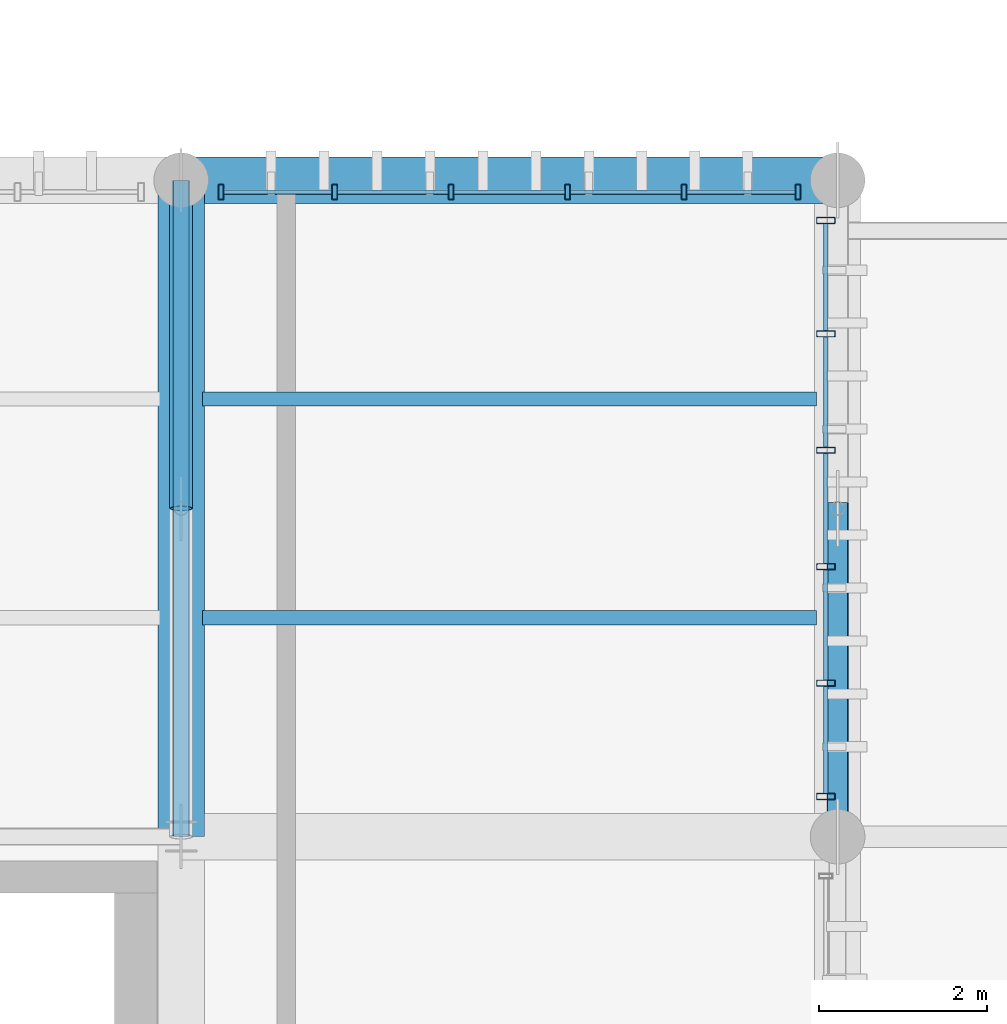
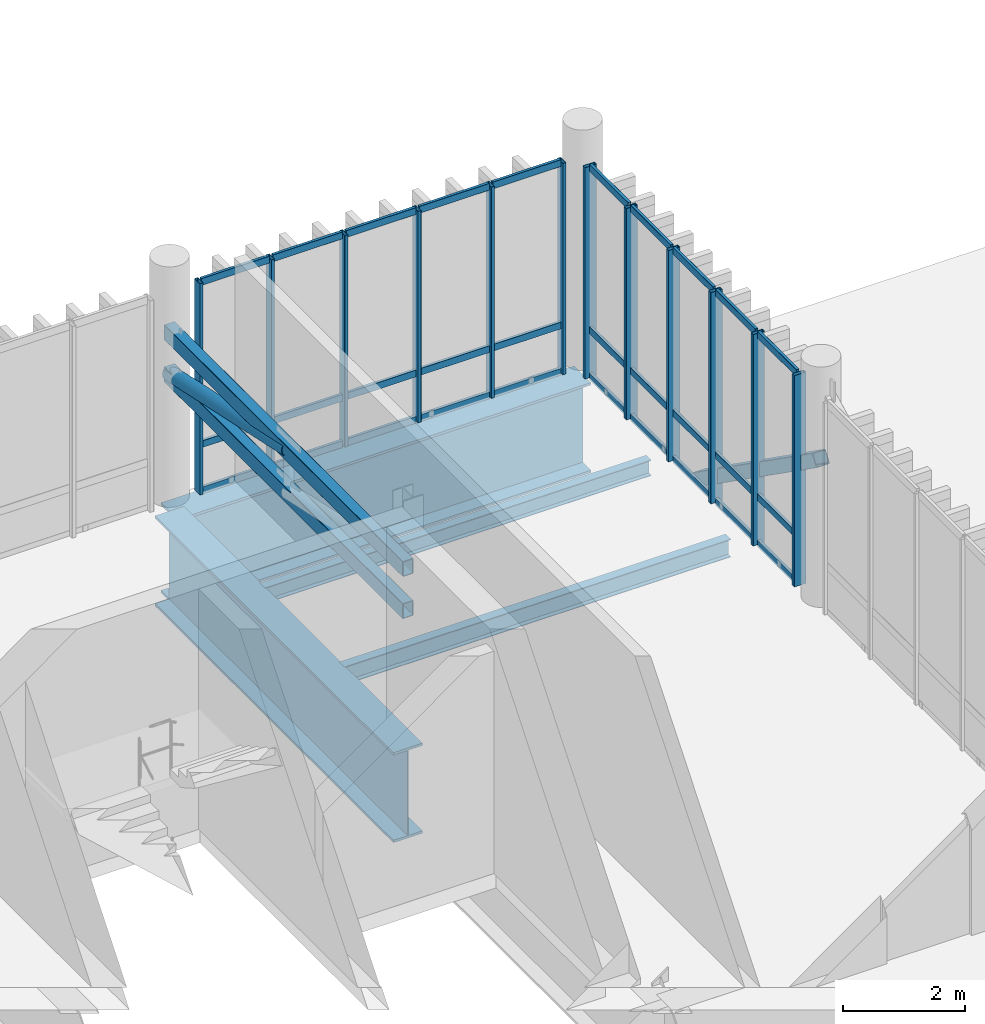
# One storey, part 27 of 81: 46 members, 4 beams, 2 elements without a shape of their own.
"""IFC4 building model written with IfcOpenShell, lengths in metres."""

from ifc_helpers import new_model, si_unit, direction, frame, origin_with_axes, origin_2d_with_axis, place, context, subcontext, project, spatial, hollow_rectangle, hollow_circle, i_section, extrude, material, material_profile, profile_set, type_object, element, aggregate, save


model = new_model("IFC4")

# Units and contexts
model_context = context("Model", 3, precision=1e-05, world=origin_with_axes(), true_north=direction((0.0, 1.0)))
body_context = subcontext(model_context, "Body", "Model", "MODEL_VIEW")
ifc_project = project(units=[si_unit("LENGTHUNIT", "METRE"), si_unit("AREAUNIT", "SQUARE_METRE"), si_unit("VOLUMEUNIT", "CUBIC_METRE"), si_unit("PLANEANGLEUNIT", "RADIAN"), si_unit("MASSUNIT", "GRAM", prefix="KILO"), si_unit("THERMODYNAMICTEMPERATUREUNIT", "KELVIN")], contexts=[model_context])

# Site, building, storey
site_placement = place(None, origin_with_axes())
site = spatial("IfcSite", under=ifc_project, at=site_placement, CompositionType="ELEMENT")
building_placement = place(site_placement, origin_with_axes())
building = spatial("IfcBuilding", under=site, at=building_placement, Name="Montbau Bow Law Courts", CompositionType="ELEMENT")
storey_placement = place(building_placement, frame((0.0, 0.0, 24.9), z_axis=(0.0, 0.0, 1.0), x_axis=(1.0, 0.0, 0.0)))
storey = spatial("IfcBuildingStorey", under=building, at=storey_placement, Name="L05", CompositionType="ELEMENT", Elevation=24.9)

# Beams
ifc_material_1 = material(Name="Steel CSA G40.21 Grade 350W (350 MPa)", Category="steel")
ifc_material_profile_1 = material_profile(ifc_material_1, i_section(OverallWidth=0.172, OverallDepth=0.358, WebThickness=0.0079, FlangeThickness=0.0131, at=origin_2d_with_axis()), Name="W360X57", Category="Main", Priority=0)
ifc_profile_set_1 = profile_set([ifc_material_profile_1], Name="Steel CSA G40.21 Grade 350W (350 MPa)")
beam_type_1 = type_object("IfcBeamType", Name="B-JST-03", PredefinedType="JOIST", material=ifc_profile_set_1)
beam_1_placement = place(None, frame((39.251, 57.2, 24.421), z_axis=(1.0, 0.0, 0.0), x_axis=(0.0, 1.0, 0.0)))
element("IfcBeam", 1, at=beam_1_placement, inside=storey, type_object=beam_type_1, Name="JST-L05-S0330:jst2_0330", PredefinedType="JOIST", context=body_context, shape_type="SweptSolid", body=[
    extrude(i_section(OverallWidth=0.172, OverallDepth=0.358, WebThickness=0.0079, FlangeThickness=0.0131, at=origin_2d_with_axis()), origin_with_axes(), (0.0, 0.0, 1.0), 7.298),
])
ifc_material_profile_2 = material_profile(ifc_material_1, i_section(OverallWidth=0.166, OverallDepth=0.313, WebThickness=0.0066, FlangeThickness=0.0112, at=origin_2d_with_axis()), Name="W310X45", Category="Main", Priority=0)
ifc_profile_set_2 = profile_set([ifc_material_profile_2], Name="Steel CSA G40.21 Grade 350W (350 MPa)")
beam_type_2 = type_object("IfcBeamType", Name="B-JST-04", PredefinedType="JOIST", material=ifc_profile_set_2)
beam_2_placement = place(None, frame((39.251, 59.8, 24.444), z_axis=(1.0, 0.0, 0.0), x_axis=(0.0, 1.0, 0.0)))
element("IfcBeam", 2, at=beam_2_placement, inside=storey, type_object=beam_type_2, Name="JST-L05-S0331:jst2_0331", PredefinedType="JOIST", context=body_context, shape_type="SweptSolid", body=[
    extrude(i_section(OverallWidth=0.166, OverallDepth=0.313, WebThickness=0.0066, FlangeThickness=0.0112, at=origin_2d_with_axis()), origin_with_axes(), (0.0, 0.0, 1.0), 7.298),
])
ifc_material_2 = material(Name="Steel CSA G40.21 Grade 350WT (350 MPa)", Category="steel")
ifc_material_profile_3 = material_profile(ifc_material_2, i_section(OverallWidth=0.55, OverallDepth=1.8, WebThickness=0.022, FlangeThickness=0.05, at=origin_2d_with_axis()), Name="WWF1800X550", Category="Main", Priority=0)
ifc_profile_set_3 = profile_set([ifc_material_profile_3], Name="Steel CSA G40.21 Grade 350WT (350 MPa)")
beam_type_3 = type_object("IfcBeamType", Name="B-TRG-01", PredefinedType="USERDEFINED", material=ifc_profile_set_3)
for number, where, z_axis, x_axis, name in (
    (3, (39.0, 54.6, 23.7), (0.0, 1.0, 0.0), (-1.0, 0.0, 0.0), "TRG-L05-S0040:bm2_0043"),
    (4, (39.0, 62.4, 23.7), (1.0, 0.0, 0.0), (0.0, 1.0, 0.0), "TRG-L05-S0051:bm2_0054"),
):
    element("IfcBeam", number, at=place(None, frame(where, z_axis=z_axis, x_axis=x_axis)), inside=storey, type_object=beam_type_3, Name=name, ObjectType="GIRDER", PredefinedType="USERDEFINED", context=body_context, shape_type="SweptSolid", body=[
        extrude(i_section(OverallWidth=0.55, OverallDepth=1.8, WebThickness=0.022, FlangeThickness=0.05, at=origin_2d_with_axis()), origin_with_axes(), (0.0, 0.0, 1.0), 7.8),
    ])

# Members
ifc_material_profile_4 = material_profile(ifc_material_1, hollow_rectangle(XDim=0.254, YDim=0.254, WallThickness=0.0127, InnerFilletRadius=0.0254, OuterFilletRadius=0.0127, at=origin_2d_with_axis()), Name="HSS254X254X13", Category="Main", Priority=0)
ifc_profile_set_4 = profile_set([ifc_material_profile_4], Name="Steel CSA G40.21 Grade 350W (350 MPa)")
member_type_1 = type_object("IfcMemberType", Name="M-BRC-01", PredefinedType="BRACE", material=ifc_profile_set_4)
member_1_placement = place(None, frame((46.8, 54.6, 27.65), z_axis=(0.0, 0.817258134, -0.576271761), x_axis=(-1.0, 0.0, 0.0)))
element("IfcMember", 5, at=member_1_placement, inside=storey, type_object=member_type_1, Name="Diagonal brace BRC-L05-011", PredefinedType="BRACE", context=body_context, shape_type="SweptSolid", body=[
    extrude(hollow_rectangle(XDim=0.254, YDim=0.254, WallThickness=0.0127, InnerFilletRadius=0.0254, OuterFilletRadius=0.0127, at=origin_2d_with_axis()), origin_with_axes(), (0.0, 0.0, 1.0), 4.772054),
])
ifc_material_profile_5 = material_profile(ifc_material_1, hollow_circle(Radius=0.1365, WallThickness=0.0127, at=origin_2d_with_axis()), Name="HSS273X13", Category="Main", Priority=0)
ifc_profile_set_5 = profile_set([ifc_material_profile_5], Name="Steel CSA G40.21 Grade 350W (350 MPa)")
member_type_2 = type_object("IfcMemberType", Name="M-BRC-03", PredefinedType="BRACE", material=ifc_profile_set_5)
member_2_placement = place(None, frame((39.0, 58.5, 28.2), z_axis=(0.0, 0.977581781, -0.210556076), x_axis=(-1.0, 0.0, 0.0)))
element("IfcMember", 6, at=member_2_placement, inside=storey, type_object=member_type_2, Name="Diagonal brace BRC-L05-010", PredefinedType="BRACE", context=body_context, shape_type="SweptSolid", body=[
    extrude(hollow_circle(Radius=0.1365, WallThickness=0.0127, at=origin_2d_with_axis()), origin_with_axes(), (0.0, 0.0, 1.0), 3.989436),
])
ifc_material_profile_6 = material_profile(ifc_material_2, hollow_rectangle(XDim=0.203, YDim=0.305, WallThickness=0.0127, InnerFilletRadius=0.0254, OuterFilletRadius=0.0127, at=origin_2d_with_axis()), Name="HSS305X203X13", Category="Main", Priority=0)
ifc_profile_set_6 = profile_set([ifc_material_profile_6], Name="Steel CSA G40.21 Grade 350WT (350 MPa)")
member_type_3 = type_object("IfcMemberType", Name="M-CHD-02", PredefinedType="CHORD", material=ifc_profile_set_6)
for number, where, z_axis, x_axis, name in (
    (7, (39.0, 54.6, 27.36), (0.0, 1.0, 0.0), (-1.0, 0.0, 0.0), "CHB-L05-05:chb_0005"),
    (8, (39.0, 54.6, 28.2), (0.0, 1.0, 0.0), (-1.0, 0.0, 0.0), "CHD-L05-05:mbr_0017"),
):
    element("IfcMember", number, at=place(None, frame(where, z_axis=z_axis, x_axis=x_axis)), inside=storey, type_object=member_type_3, Name=name, PredefinedType="CHORD", context=body_context, shape_type="SweptSolid", body=[
        extrude(hollow_rectangle(XDim=0.203, YDim=0.305, WallThickness=0.0127, InnerFilletRadius=0.0254, OuterFilletRadius=0.0127, at=origin_2d_with_axis()), origin_with_axes(), (0.0, 0.0, 1.0), 7.8),
    ])

# Curtain wall, members
ifc_material_3 = material(Name="Thermally Broken Extruded Aluminium AA 6063-T6", Category="aluminium")
curtain_wall_type = type_object("IfcCurtainWallType", Name="CW-TRC-02", PredefinedType="NOTDEFINED", material=ifc_material_3)
curtain_wall_1_placement = place(None, frame((46.66, 55.04, 24.9), z_axis=(0.0, 0.0, 1.0), x_axis=(1.0, 0.0, 0.0)))
curtain_wall_1 = element("IfcCurtainWall", 9, at=curtain_wall_1_placement, inside=storey, type_object=curtain_wall_type, Name="CW-L05-093:cw_0093", PredefinedType="NOTDEFINED")
ifc_material_profile_7 = material_profile(ifc_material_3, hollow_rectangle(XDim=0.075, YDim=0.22, WallThickness=0.005, InnerFilletRadius=0.01, OuterFilletRadius=0.005, at=origin_2d_with_axis()), Name="CWM-220X75", Category="Main", Priority=0)
ifc_profile_set_7 = profile_set([ifc_material_profile_7], Name="Thermally Broken Extruded Aluminium AA 6063-T6")
member_type_4 = type_object("IfcMemberType", Name="M-MUL-01", PredefinedType="MULLION", material=ifc_profile_set_7)
member_3_placement = place(None, frame((46.66, 55.077, 24.9), z_axis=(0.0, 0.0, 1.0), x_axis=(0.0, 1.0, 0.0)))
member_3 = element("IfcMember", 10, at=member_3_placement, type_object=member_type_4, Name="CW-L05-093-M01:cw_0093_M01", PredefinedType="MULLION", context=body_context, shape_type="SweptSolid", body=[
    extrude(hollow_rectangle(XDim=0.075, YDim=0.22, WallThickness=0.005, InnerFilletRadius=0.01, OuterFilletRadius=0.005, at=origin_2d_with_axis()), origin_with_axes(), (0.0, 0.0, 1.0), 4.22),
])
member_4_placement = place(None, frame((46.66, 56.424, 24.9), z_axis=(0.0, 0.0, 1.0), x_axis=(0.0, 1.0, 0.0)))
member_4 = element("IfcMember", 11, at=member_4_placement, type_object=member_type_4, Name="CW-L05-093-M02:cw_0093_M02", PredefinedType="MULLION", context=body_context, shape_type="SweptSolid", body=[
    extrude(hollow_rectangle(XDim=0.075, YDim=0.22, WallThickness=0.005, InnerFilletRadius=0.01, OuterFilletRadius=0.005, at=origin_2d_with_axis()), origin_with_axes(), (0.0, 0.0, 1.0), 4.22),
])
member_5_placement = place(None, frame((46.66, 57.808, 24.9), z_axis=(0.0, 0.0, 1.0), x_axis=(0.0, 1.0, 0.0)))
member_5 = element("IfcMember", 12, at=member_5_placement, type_object=member_type_4, Name="CW-L05-093-M03:cw_0093_M03", PredefinedType="MULLION", context=body_context, shape_type="SweptSolid", body=[
    extrude(hollow_rectangle(XDim=0.075, YDim=0.22, WallThickness=0.005, InnerFilletRadius=0.01, OuterFilletRadius=0.005, at=origin_2d_with_axis()), origin_with_axes(), (0.0, 0.0, 1.0), 4.22),
])
member_6_placement = place(None, frame((46.66, 59.192, 24.9), z_axis=(0.0, 0.0, 1.0), x_axis=(0.0, 1.0, 0.0)))
member_6 = element("IfcMember", 13, at=member_6_placement, type_object=member_type_4, Name="CW-L05-093-M04:cw_0093_M04", PredefinedType="MULLION", context=body_context, shape_type="SweptSolid", body=[
    extrude(hollow_rectangle(XDim=0.075, YDim=0.22, WallThickness=0.005, InnerFilletRadius=0.01, OuterFilletRadius=0.005, at=origin_2d_with_axis()), origin_with_axes(), (0.0, 0.0, 1.0), 4.22),
])
member_7_placement = place(None, frame((46.66, 60.576, 24.9), z_axis=(0.0, 0.0, 1.0), x_axis=(0.0, 1.0, 0.0)))
member_7 = element("IfcMember", 14, at=member_7_placement, type_object=member_type_4, Name="CW-L05-093-M05:cw_0093_M05", PredefinedType="MULLION", context=body_context, shape_type="SweptSolid", body=[
    extrude(hollow_rectangle(XDim=0.075, YDim=0.22, WallThickness=0.005, InnerFilletRadius=0.01, OuterFilletRadius=0.005, at=origin_2d_with_axis()), origin_with_axes(), (0.0, 0.0, 1.0), 4.22),
])
member_8_placement = place(None, frame((46.66, 61.923, 24.9), z_axis=(0.0, 0.0, 1.0), x_axis=(0.0, 1.0, 0.0)))
member_8 = element("IfcMember", 15, at=member_8_placement, type_object=member_type_4, Name="CW-L05-093-M06:cw_0093_M06", PredefinedType="MULLION", context=body_context, shape_type="SweptSolid", body=[
    extrude(hollow_rectangle(XDim=0.075, YDim=0.22, WallThickness=0.005, InnerFilletRadius=0.01, OuterFilletRadius=0.005, at=origin_2d_with_axis()), origin_with_axes(), (0.0, 0.0, 1.0), 4.22),
])

curtain_wall_2_placement = place(None, frame((39.44, 62.26, 24.9), z_axis=(0.0, 0.0, 1.0), x_axis=(1.0, 0.0, 0.0)))
curtain_wall_2 = element("IfcCurtainWall", 16, at=curtain_wall_2_placement, inside=storey, type_object=curtain_wall_type, Name="CW-L05-085:cw_0085", PredefinedType="NOTDEFINED")
ifc_material_profile_8 = material_profile(ifc_material_3, hollow_rectangle(XDim=0.065, YDim=0.18, WallThickness=0.005, InnerFilletRadius=0.01, OuterFilletRadius=0.005, at=origin_2d_with_axis()), Name="CWM-180X65", Category="Main", Priority=0)
ifc_profile_set_8 = profile_set([ifc_material_profile_8], Name="Thermally Broken Extruded Aluminium AA 6063-T6")
member_type_5 = type_object("IfcMemberType", Name="M-MUL-02", PredefinedType="MULLION", material=ifc_profile_set_8)
member_9_placement = place(None, frame((39.473, 62.26, 24.9), z_axis=(0.0, 0.0, 1.0), x_axis=(1.0, 0.0, 0.0)))
member_9 = element("IfcMember", 17, at=member_9_placement, type_object=member_type_5, Name="CW-L05-085-M01:cw_0085_M01", PredefinedType="MULLION", context=body_context, shape_type="SweptSolid", body=[
    extrude(hollow_rectangle(XDim=0.065, YDim=0.18, WallThickness=0.005, InnerFilletRadius=0.01, OuterFilletRadius=0.005, at=origin_2d_with_axis()), origin_with_axes(), (0.0, 0.0, 1.0), 4.22),
])
member_10_placement = place(None, frame((40.824, 62.26, 24.9), z_axis=(0.0, 0.0, 1.0), x_axis=(1.0, 0.0, 0.0)))
member_10 = element("IfcMember", 18, at=member_10_placement, type_object=member_type_5, Name="CW-L05-085-M02:cw_0085_M02", PredefinedType="MULLION", context=body_context, shape_type="SweptSolid", body=[
    extrude(hollow_rectangle(XDim=0.065, YDim=0.18, WallThickness=0.005, InnerFilletRadius=0.01, OuterFilletRadius=0.005, at=origin_2d_with_axis()), origin_with_axes(), (0.0, 0.0, 1.0), 4.22),
])
member_11_placement = place(None, frame((42.208, 62.26, 24.9), z_axis=(0.0, 0.0, 1.0), x_axis=(1.0, 0.0, 0.0)))
member_11 = element("IfcMember", 19, at=member_11_placement, type_object=member_type_5, Name="CW-L05-085-M03:cw_0085_M03", PredefinedType="MULLION", context=body_context, shape_type="SweptSolid", body=[
    extrude(hollow_rectangle(XDim=0.065, YDim=0.18, WallThickness=0.005, InnerFilletRadius=0.01, OuterFilletRadius=0.005, at=origin_2d_with_axis()), origin_with_axes(), (0.0, 0.0, 1.0), 4.22),
])
member_12_placement = place(None, frame((43.592, 62.26, 24.9), z_axis=(0.0, 0.0, 1.0), x_axis=(1.0, 0.0, 0.0)))
member_12 = element("IfcMember", 20, at=member_12_placement, type_object=member_type_5, Name="CW-L05-085-M04:cw_0085_M04", PredefinedType="MULLION", context=body_context, shape_type="SweptSolid", body=[
    extrude(hollow_rectangle(XDim=0.065, YDim=0.18, WallThickness=0.005, InnerFilletRadius=0.01, OuterFilletRadius=0.005, at=origin_2d_with_axis()), origin_with_axes(), (0.0, 0.0, 1.0), 4.22),
])
member_13_placement = place(None, frame((44.976, 62.26, 24.9), z_axis=(0.0, 0.0, 1.0), x_axis=(1.0, 0.0, 0.0)))
member_13 = element("IfcMember", 21, at=member_13_placement, type_object=member_type_5, Name="CW-L05-085-M05:cw_0085_M05", PredefinedType="MULLION", context=body_context, shape_type="SweptSolid", body=[
    extrude(hollow_rectangle(XDim=0.065, YDim=0.18, WallThickness=0.005, InnerFilletRadius=0.01, OuterFilletRadius=0.005, at=origin_2d_with_axis()), origin_with_axes(), (0.0, 0.0, 1.0), 4.22),
])
member_14_placement = place(None, frame((46.328, 62.26, 24.9), z_axis=(0.0, 0.0, 1.0), x_axis=(1.0, 0.0, 0.0)))
member_14 = element("IfcMember", 22, at=member_14_placement, type_object=member_type_5, Name="CW-L05-085-M06:cw_0085_M06", PredefinedType="MULLION", context=body_context, shape_type="SweptSolid", body=[
    extrude(hollow_rectangle(XDim=0.065, YDim=0.18, WallThickness=0.005, InnerFilletRadius=0.01, OuterFilletRadius=0.005, at=origin_2d_with_axis()), origin_with_axes(), (0.0, 0.0, 1.0), 4.22),
])
ifc_material_profile_9 = material_profile(ifc_material_3, hollow_rectangle(XDim=0.055, YDim=0.14, WallThickness=0.004, InnerFilletRadius=0.008, OuterFilletRadius=0.004, at=origin_2d_with_axis()), Name="CWT-140X55", Category="Main", Priority=0)
ifc_profile_set_9 = profile_set([ifc_material_profile_9], Name="Thermally Broken Extruded Aluminium AA 6063-T6")
member_type_6 = type_object("IfcMemberType", Name="M-TRN-02", PredefinedType="USERDEFINED", material=ifc_profile_set_9)
member_15_placement = place(None, frame((39.508, 62.26, 24.927), z_axis=(1.0, 0.0, 0.0), x_axis=(0.0, 1.0, 0.0)))
member_15 = element("IfcMember", 23, at=member_15_placement, type_object=member_type_6, Name="CW-L05-085-T01-1:cw_0085_T01_1", ObjectType="TRANSOM", PredefinedType="USERDEFINED", context=body_context, shape_type="SweptSolid", body=[
    extrude(hollow_rectangle(XDim=0.055, YDim=0.14, WallThickness=0.004, InnerFilletRadius=0.008, OuterFilletRadius=0.004, at=origin_2d_with_axis()), origin_with_axes(), (0.0, 0.0, 1.0), 1.281),
])
member_16_placement = place(None, frame((39.508, 62.26, 25.85), z_axis=(1.0, 0.0, 0.0), x_axis=(0.0, 1.0, 0.0)))
member_16 = element("IfcMember", 24, at=member_16_placement, type_object=member_type_6, Name="CW-L05-085-T01-2:cw_0085_T01_2", ObjectType="TRANSOM", PredefinedType="USERDEFINED", context=body_context, shape_type="SweptSolid", body=[
    extrude(hollow_rectangle(XDim=0.055, YDim=0.14, WallThickness=0.004, InnerFilletRadius=0.008, OuterFilletRadius=0.004, at=origin_2d_with_axis()), origin_with_axes(), (0.0, 0.0, 1.0), 1.281),
])
member_17_placement = place(None, frame((39.508, 62.26, 29.093), z_axis=(1.0, 0.0, 0.0), x_axis=(0.0, 1.0, 0.0)))
member_17 = element("IfcMember", 25, at=member_17_placement, type_object=member_type_6, Name="CW-L05-085-T01-3:cw_0085_T01_3", ObjectType="TRANSOM", PredefinedType="USERDEFINED", context=body_context, shape_type="SweptSolid", body=[
    extrude(hollow_rectangle(XDim=0.055, YDim=0.14, WallThickness=0.004, InnerFilletRadius=0.008, OuterFilletRadius=0.004, at=origin_2d_with_axis()), origin_with_axes(), (0.0, 0.0, 1.0), 1.281),
])
member_18_placement = place(None, frame((40.858, 62.26, 24.927), z_axis=(1.0, 0.0, 0.0), x_axis=(0.0, 1.0, 0.0)))
member_18 = element("IfcMember", 26, at=member_18_placement, type_object=member_type_6, Name="CW-L05-085-T02-1:cw_0085_T02_1", ObjectType="TRANSOM", PredefinedType="USERDEFINED", context=body_context, shape_type="SweptSolid", body=[
    extrude(hollow_rectangle(XDim=0.055, YDim=0.14, WallThickness=0.004, InnerFilletRadius=0.008, OuterFilletRadius=0.004, at=origin_2d_with_axis()), origin_with_axes(), (0.0, 0.0, 1.0), 1.315),
])
member_19_placement = place(None, frame((40.858, 62.26, 25.85), z_axis=(1.0, 0.0, 0.0), x_axis=(0.0, 1.0, 0.0)))
member_19 = element("IfcMember", 27, at=member_19_placement, type_object=member_type_6, Name="CW-L05-085-T02-2:cw_0085_T02_2", ObjectType="TRANSOM", PredefinedType="USERDEFINED", context=body_context, shape_type="SweptSolid", body=[
    extrude(hollow_rectangle(XDim=0.055, YDim=0.14, WallThickness=0.004, InnerFilletRadius=0.008, OuterFilletRadius=0.004, at=origin_2d_with_axis()), origin_with_axes(), (0.0, 0.0, 1.0), 1.315),
])
member_20_placement = place(None, frame((40.858, 62.26, 29.093), z_axis=(1.0, 0.0, 0.0), x_axis=(0.0, 1.0, 0.0)))
member_20 = element("IfcMember", 28, at=member_20_placement, type_object=member_type_6, Name="CW-L05-085-T02-3:cw_0085_T02_3", ObjectType="TRANSOM", PredefinedType="USERDEFINED", context=body_context, shape_type="SweptSolid", body=[
    extrude(hollow_rectangle(XDim=0.055, YDim=0.14, WallThickness=0.004, InnerFilletRadius=0.008, OuterFilletRadius=0.004, at=origin_2d_with_axis()), origin_with_axes(), (0.0, 0.0, 1.0), 1.315),
])
member_21_placement = place(None, frame((42.242, 62.26, 24.927), z_axis=(1.0, 0.0, 0.0), x_axis=(0.0, 1.0, 0.0)))
member_21 = element("IfcMember", 29, at=member_21_placement, type_object=member_type_6, Name="CW-L05-085-T03-1:cw_0085_T03_1", ObjectType="TRANSOM", PredefinedType="USERDEFINED", context=body_context, shape_type="SweptSolid", body=[
    extrude(hollow_rectangle(XDim=0.055, YDim=0.14, WallThickness=0.004, InnerFilletRadius=0.008, OuterFilletRadius=0.004, at=origin_2d_with_axis()), origin_with_axes(), (0.0, 0.0, 1.0), 1.316),
])
member_22_placement = place(None, frame((42.242, 62.26, 25.85), z_axis=(1.0, 0.0, 0.0), x_axis=(0.0, 1.0, 0.0)))
member_22 = element("IfcMember", 30, at=member_22_placement, type_object=member_type_6, Name="CW-L05-085-T03-2:cw_0085_T03_2", ObjectType="TRANSOM", PredefinedType="USERDEFINED", context=body_context, shape_type="SweptSolid", body=[
    extrude(hollow_rectangle(XDim=0.055, YDim=0.14, WallThickness=0.004, InnerFilletRadius=0.008, OuterFilletRadius=0.004, at=origin_2d_with_axis()), origin_with_axes(), (0.0, 0.0, 1.0), 1.316),
])
member_23_placement = place(None, frame((42.242, 62.26, 29.093), z_axis=(1.0, 0.0, 0.0), x_axis=(0.0, 1.0, 0.0)))
member_23 = element("IfcMember", 31, at=member_23_placement, type_object=member_type_6, Name="CW-L05-085-T03-3:cw_0085_T03_3", ObjectType="TRANSOM", PredefinedType="USERDEFINED", context=body_context, shape_type="SweptSolid", body=[
    extrude(hollow_rectangle(XDim=0.055, YDim=0.14, WallThickness=0.004, InnerFilletRadius=0.008, OuterFilletRadius=0.004, at=origin_2d_with_axis()), origin_with_axes(), (0.0, 0.0, 1.0), 1.316),
])
member_24_placement = place(None, frame((43.626, 62.26, 24.927), z_axis=(1.0, 0.0, 0.0), x_axis=(0.0, 1.0, 0.0)))
member_24 = element("IfcMember", 32, at=member_24_placement, type_object=member_type_6, Name="CW-L05-085-T04-1:cw_0085_T04_1", ObjectType="TRANSOM", PredefinedType="USERDEFINED", context=body_context, shape_type="SweptSolid", body=[
    extrude(hollow_rectangle(XDim=0.055, YDim=0.14, WallThickness=0.004, InnerFilletRadius=0.008, OuterFilletRadius=0.004, at=origin_2d_with_axis()), origin_with_axes(), (0.0, 0.0, 1.0), 1.316),
])
member_25_placement = place(None, frame((43.626, 62.26, 25.85), z_axis=(1.0, 0.0, 0.0), x_axis=(0.0, 1.0, 0.0)))
member_25 = element("IfcMember", 33, at=member_25_placement, type_object=member_type_6, Name="CW-L05-085-T04-2:cw_0085_T04_2", ObjectType="TRANSOM", PredefinedType="USERDEFINED", context=body_context, shape_type="SweptSolid", body=[
    extrude(hollow_rectangle(XDim=0.055, YDim=0.14, WallThickness=0.004, InnerFilletRadius=0.008, OuterFilletRadius=0.004, at=origin_2d_with_axis()), origin_with_axes(), (0.0, 0.0, 1.0), 1.316),
])
member_26_placement = place(None, frame((43.626, 62.26, 29.093), z_axis=(1.0, 0.0, 0.0), x_axis=(0.0, 1.0, 0.0)))
member_26 = element("IfcMember", 34, at=member_26_placement, type_object=member_type_6, Name="CW-L05-085-T04-3:cw_0085_T04_3", ObjectType="TRANSOM", PredefinedType="USERDEFINED", context=body_context, shape_type="SweptSolid", body=[
    extrude(hollow_rectangle(XDim=0.055, YDim=0.14, WallThickness=0.004, InnerFilletRadius=0.008, OuterFilletRadius=0.004, at=origin_2d_with_axis()), origin_with_axes(), (0.0, 0.0, 1.0), 1.316),
])
member_27_placement = place(None, frame((45.01, 62.26, 24.927), z_axis=(1.0, 0.0, 0.0), x_axis=(0.0, 1.0, 0.0)))
member_27 = element("IfcMember", 35, at=member_27_placement, type_object=member_type_6, Name="CW-L05-085-T05-1:cw_0085_T05_1", ObjectType="TRANSOM", PredefinedType="USERDEFINED", context=body_context, shape_type="SweptSolid", body=[
    extrude(hollow_rectangle(XDim=0.055, YDim=0.14, WallThickness=0.004, InnerFilletRadius=0.008, OuterFilletRadius=0.004, at=origin_2d_with_axis()), origin_with_axes(), (0.0, 0.0, 1.0), 1.284),
])
member_28_placement = place(None, frame((45.01, 62.26, 25.85), z_axis=(1.0, 0.0, 0.0), x_axis=(0.0, 1.0, 0.0)))
member_28 = element("IfcMember", 36, at=member_28_placement, type_object=member_type_6, Name="CW-L05-085-T05-2:cw_0085_T05_2", ObjectType="TRANSOM", PredefinedType="USERDEFINED", context=body_context, shape_type="SweptSolid", body=[
    extrude(hollow_rectangle(XDim=0.055, YDim=0.14, WallThickness=0.004, InnerFilletRadius=0.008, OuterFilletRadius=0.004, at=origin_2d_with_axis()), origin_with_axes(), (0.0, 0.0, 1.0), 1.284),
])
member_29_placement = place(None, frame((45.01, 62.26, 29.093), z_axis=(1.0, 0.0, 0.0), x_axis=(0.0, 1.0, 0.0)))
member_29 = element("IfcMember", 37, at=member_29_placement, type_object=member_type_6, Name="CW-L05-085-T05-3:cw_0085_T05_3", ObjectType="TRANSOM", PredefinedType="USERDEFINED", context=body_context, shape_type="SweptSolid", body=[
    extrude(hollow_rectangle(XDim=0.055, YDim=0.14, WallThickness=0.004, InnerFilletRadius=0.008, OuterFilletRadius=0.004, at=origin_2d_with_axis()), origin_with_axes(), (0.0, 0.0, 1.0), 1.284),
])
aggregate(curtain_wall_2, [member_9, member_10, member_11, member_12, member_13, member_14, member_15, member_16, member_17, member_18, member_19, member_20, member_21, member_22, member_23, member_24, member_25, member_26, member_27, member_28, member_29])

# Member
member_30_placement = place(None, frame((46.66, 55.116, 24.927), z_axis=(0.0, 1.0, 0.0), x_axis=(-1.0, 0.0, 0.0)))
member_30 = element("IfcMember", 38, at=member_30_placement, type_object=member_type_6, Name="CW-L05-093-T01-1:cw_0093_T01_1", ObjectType="TRANSOM", PredefinedType="USERDEFINED", context=body_context, shape_type="SweptSolid", body=[
    extrude(hollow_rectangle(XDim=0.055, YDim=0.14, WallThickness=0.004, InnerFilletRadius=0.008, OuterFilletRadius=0.004, at=origin_2d_with_axis()), origin_with_axes(), (0.0, 0.0, 1.0), 1.268),
])

member_31_placement = place(None, frame((46.66, 55.116, 25.85), z_axis=(0.0, 1.0, 0.0), x_axis=(-1.0, 0.0, 0.0)))
member_31 = element("IfcMember", 39, at=member_31_placement, type_object=member_type_6, Name="CW-L05-093-T01-2:cw_0093_T01_2", ObjectType="TRANSOM", PredefinedType="USERDEFINED", context=body_context, shape_type="SweptSolid", body=[
    extrude(hollow_rectangle(XDim=0.055, YDim=0.14, WallThickness=0.004, InnerFilletRadius=0.008, OuterFilletRadius=0.004, at=origin_2d_with_axis()), origin_with_axes(), (0.0, 0.0, 1.0), 1.268),
])

member_32_placement = place(None, frame((46.66, 55.116, 29.093), z_axis=(0.0, 1.0, 0.0), x_axis=(-1.0, 0.0, 0.0)))
member_32 = element("IfcMember", 40, at=member_32_placement, type_object=member_type_6, Name="CW-L05-093-T01-3:cw_0093_T01_3", ObjectType="TRANSOM", PredefinedType="USERDEFINED", context=body_context, shape_type="SweptSolid", body=[
    extrude(hollow_rectangle(XDim=0.055, YDim=0.14, WallThickness=0.004, InnerFilletRadius=0.008, OuterFilletRadius=0.004, at=origin_2d_with_axis()), origin_with_axes(), (0.0, 0.0, 1.0), 1.268),
])

member_33_placement = place(None, frame((46.66, 56.463, 24.927), z_axis=(0.0, 1.0, 0.0), x_axis=(-1.0, 0.0, 0.0)))
member_33 = element("IfcMember", 41, at=member_33_placement, type_object=member_type_6, Name="CW-L05-093-T02-1:cw_0093_T02_1", ObjectType="TRANSOM", PredefinedType="USERDEFINED", context=body_context, shape_type="SweptSolid", body=[
    extrude(hollow_rectangle(XDim=0.055, YDim=0.14, WallThickness=0.004, InnerFilletRadius=0.008, OuterFilletRadius=0.004, at=origin_2d_with_axis()), origin_with_axes(), (0.0, 0.0, 1.0), 1.305),
])

member_34_placement = place(None, frame((46.66, 56.463, 25.85), z_axis=(0.0, 1.0, 0.0), x_axis=(-1.0, 0.0, 0.0)))
member_34 = element("IfcMember", 42, at=member_34_placement, type_object=member_type_6, Name="CW-L05-093-T02-2:cw_0093_T02_2", ObjectType="TRANSOM", PredefinedType="USERDEFINED", context=body_context, shape_type="SweptSolid", body=[
    extrude(hollow_rectangle(XDim=0.055, YDim=0.14, WallThickness=0.004, InnerFilletRadius=0.008, OuterFilletRadius=0.004, at=origin_2d_with_axis()), origin_with_axes(), (0.0, 0.0, 1.0), 1.305),
])

member_35_placement = place(None, frame((46.66, 56.463, 29.093), z_axis=(0.0, 1.0, 0.0), x_axis=(-1.0, 0.0, 0.0)))
member_35 = element("IfcMember", 43, at=member_35_placement, type_object=member_type_6, Name="CW-L05-093-T02-3:cw_0093_T02_3", ObjectType="TRANSOM", PredefinedType="USERDEFINED", context=body_context, shape_type="SweptSolid", body=[
    extrude(hollow_rectangle(XDim=0.055, YDim=0.14, WallThickness=0.004, InnerFilletRadius=0.008, OuterFilletRadius=0.004, at=origin_2d_with_axis()), origin_with_axes(), (0.0, 0.0, 1.0), 1.305),
])

member_36_placement = place(None, frame((46.66, 57.847, 24.927), z_axis=(0.0, 1.0, 0.0), x_axis=(-1.0, 0.0, 0.0)))
member_36 = element("IfcMember", 44, at=member_36_placement, type_object=member_type_6, Name="CW-L05-093-T03-1:cw_0093_T03_1", ObjectType="TRANSOM", PredefinedType="USERDEFINED", context=body_context, shape_type="SweptSolid", body=[
    extrude(hollow_rectangle(XDim=0.055, YDim=0.14, WallThickness=0.004, InnerFilletRadius=0.008, OuterFilletRadius=0.004, at=origin_2d_with_axis()), origin_with_axes(), (0.0, 0.0, 1.0), 1.306),
])

member_37_placement = place(None, frame((46.66, 57.847, 25.85), z_axis=(0.0, 1.0, 0.0), x_axis=(-1.0, 0.0, 0.0)))
member_37 = element("IfcMember", 45, at=member_37_placement, type_object=member_type_6, Name="CW-L05-093-T03-2:cw_0093_T03_2", ObjectType="TRANSOM", PredefinedType="USERDEFINED", context=body_context, shape_type="SweptSolid", body=[
    extrude(hollow_rectangle(XDim=0.055, YDim=0.14, WallThickness=0.004, InnerFilletRadius=0.008, OuterFilletRadius=0.004, at=origin_2d_with_axis()), origin_with_axes(), (0.0, 0.0, 1.0), 1.306),
])

member_38_placement = place(None, frame((46.66, 57.847, 29.093), z_axis=(0.0, 1.0, 0.0), x_axis=(-1.0, 0.0, 0.0)))
member_38 = element("IfcMember", 46, at=member_38_placement, type_object=member_type_6, Name="CW-L05-093-T03-3:cw_0093_T03_3", ObjectType="TRANSOM", PredefinedType="USERDEFINED", context=body_context, shape_type="SweptSolid", body=[
    extrude(hollow_rectangle(XDim=0.055, YDim=0.14, WallThickness=0.004, InnerFilletRadius=0.008, OuterFilletRadius=0.004, at=origin_2d_with_axis()), origin_with_axes(), (0.0, 0.0, 1.0), 1.306),
])

member_39_placement = place(None, frame((46.66, 59.231, 24.927), z_axis=(0.0, 1.0, 0.0), x_axis=(-1.0, 0.0, 0.0)))
member_39 = element("IfcMember", 47, at=member_39_placement, type_object=member_type_6, Name="CW-L05-093-T04-1:cw_0093_T04_1", ObjectType="TRANSOM", PredefinedType="USERDEFINED", context=body_context, shape_type="SweptSolid", body=[
    extrude(hollow_rectangle(XDim=0.055, YDim=0.14, WallThickness=0.004, InnerFilletRadius=0.008, OuterFilletRadius=0.004, at=origin_2d_with_axis()), origin_with_axes(), (0.0, 0.0, 1.0), 1.306),
])

member_40_placement = place(None, frame((46.66, 59.231, 25.85), z_axis=(0.0, 1.0, 0.0), x_axis=(-1.0, 0.0, 0.0)))
member_40 = element("IfcMember", 48, at=member_40_placement, type_object=member_type_6, Name="CW-L05-093-T04-2:cw_0093_T04_2", ObjectType="TRANSOM", PredefinedType="USERDEFINED", context=body_context, shape_type="SweptSolid", body=[
    extrude(hollow_rectangle(XDim=0.055, YDim=0.14, WallThickness=0.004, InnerFilletRadius=0.008, OuterFilletRadius=0.004, at=origin_2d_with_axis()), origin_with_axes(), (0.0, 0.0, 1.0), 1.306),
])

member_41_placement = place(None, frame((46.66, 59.231, 29.093), z_axis=(0.0, 1.0, 0.0), x_axis=(-1.0, 0.0, 0.0)))
member_41 = element("IfcMember", 49, at=member_41_placement, type_object=member_type_6, Name="CW-L05-093-T04-3:cw_0093_T04_3", ObjectType="TRANSOM", PredefinedType="USERDEFINED", context=body_context, shape_type="SweptSolid", body=[
    extrude(hollow_rectangle(XDim=0.055, YDim=0.14, WallThickness=0.004, InnerFilletRadius=0.008, OuterFilletRadius=0.004, at=origin_2d_with_axis()), origin_with_axes(), (0.0, 0.0, 1.0), 1.306),
])

member_42_placement = place(None, frame((46.66, 60.615, 24.927), z_axis=(0.0, 1.0, 0.0), x_axis=(-1.0, 0.0, 0.0)))
member_42 = element("IfcMember", 50, at=member_42_placement, type_object=member_type_6, Name="CW-L05-093-T05-1:cw_0093_T05_1", ObjectType="TRANSOM", PredefinedType="USERDEFINED", context=body_context, shape_type="SweptSolid", body=[
    extrude(hollow_rectangle(XDim=0.055, YDim=0.14, WallThickness=0.004, InnerFilletRadius=0.008, OuterFilletRadius=0.004, at=origin_2d_with_axis()), origin_with_axes(), (0.0, 0.0, 1.0), 1.269),
])

member_43_placement = place(None, frame((46.66, 60.615, 25.85), z_axis=(0.0, 1.0, 0.0), x_axis=(-1.0, 0.0, 0.0)))
member_43 = element("IfcMember", 51, at=member_43_placement, type_object=member_type_6, Name="CW-L05-093-T05-2:cw_0093_T05_2", ObjectType="TRANSOM", PredefinedType="USERDEFINED", context=body_context, shape_type="SweptSolid", body=[
    extrude(hollow_rectangle(XDim=0.055, YDim=0.14, WallThickness=0.004, InnerFilletRadius=0.008, OuterFilletRadius=0.004, at=origin_2d_with_axis()), origin_with_axes(), (0.0, 0.0, 1.0), 1.269),
])

member_44_placement = place(None, frame((46.66, 60.615, 29.093), z_axis=(0.0, 1.0, 0.0), x_axis=(-1.0, 0.0, 0.0)))
member_44 = element("IfcMember", 52, at=member_44_placement, type_object=member_type_6, Name="CW-L05-093-T05-3:cw_0093_T05_3", ObjectType="TRANSOM", PredefinedType="USERDEFINED", context=body_context, shape_type="SweptSolid", body=[
    extrude(hollow_rectangle(XDim=0.055, YDim=0.14, WallThickness=0.004, InnerFilletRadius=0.008, OuterFilletRadius=0.004, at=origin_2d_with_axis()), origin_with_axes(), (0.0, 0.0, 1.0), 1.269),
])

aggregate(curtain_wall_1, [member_3, member_4, member_5, member_6, member_7, member_8, member_30, member_31, member_32, member_33, member_34, member_35, member_36, member_37, member_38, member_39, member_40, member_41, member_42, member_43, member_44])

save(model, "model.ifc")
